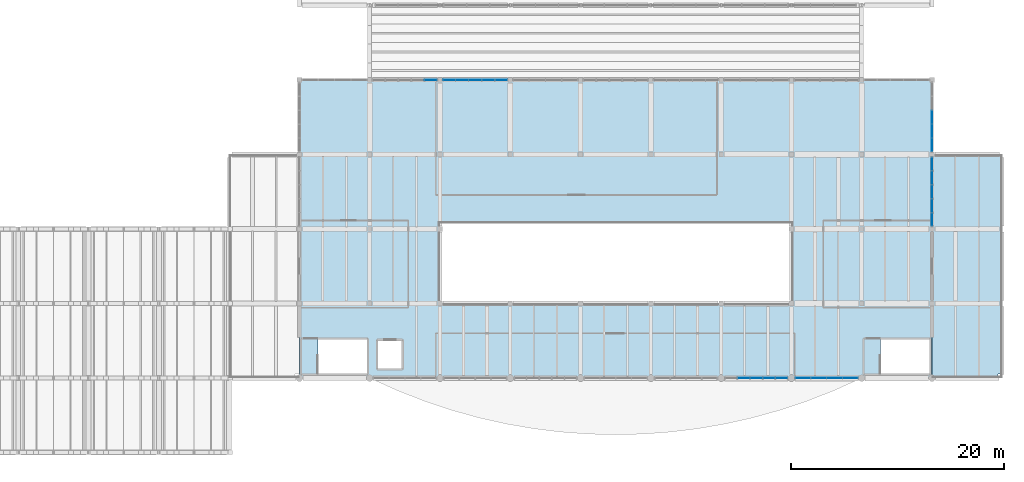
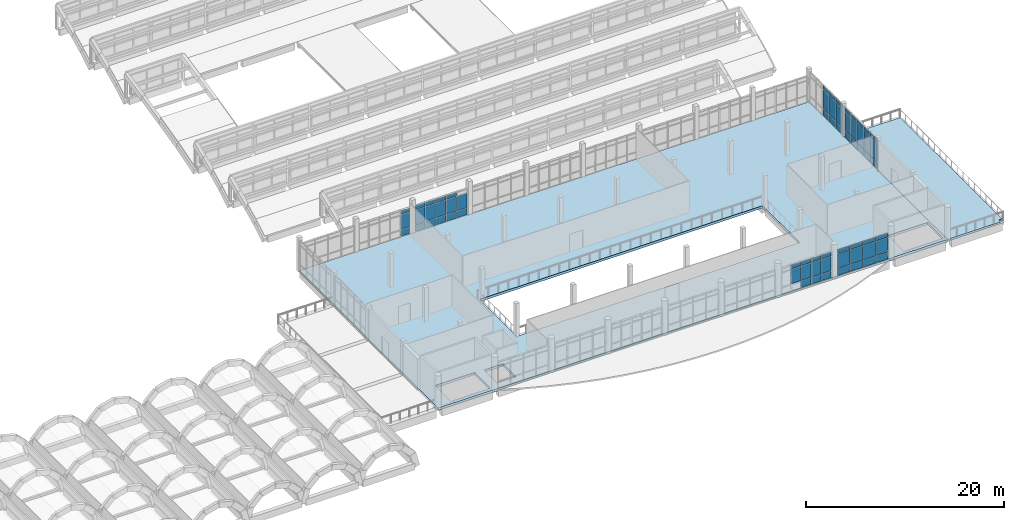
# One storey, part 67 of 92: 64 plates, 2 slabs, 6 elements without a shape of their own.
"""IFC4 building model written with IfcOpenShell, lengths in metres."""

from ifc_helpers import new_model, si_unit, direction, frame, origin, origin_2d, place, context, subcontext, project, spatial, polyline, rectangle, outline, extrude, material, layer, layer_set, type_object, element, aggregate, save


model = new_model("IFC4")

# Units and contexts
model_context = context("Model", 3, precision=1e-05, world=origin(), true_north=direction((0.0, 1.0)))
body_context = subcontext(model_context, "Body", "Model", "MODEL_VIEW")
ifc_project = project(units=[si_unit("LENGTHUNIT", "METRE"), si_unit("AREAUNIT", "SQUARE_METRE"), si_unit("VOLUMEUNIT", "CUBIC_METRE"), si_unit("PLANEANGLEUNIT", "RADIAN"), si_unit("MASSUNIT", "GRAM", prefix="KILO")], contexts=[model_context])

# Site, building, storey
site_placement = place(None, origin())
site = spatial("IfcSite", under=ifc_project, at=site_placement, CompositionType="ELEMENT")
building_placement = place(site_placement, origin())
building = spatial("IfcBuilding", under=site, at=building_placement, Name="Ciguamira Faculty of Natural Sciences", CompositionType="ELEMENT")
storey_placement = place(building_placement, frame((0.0, 0.0, 16.800048828125)))
storey = spatial("IfcBuildingStorey", under=building, at=storey_placement, Name="L04", CompositionType="ELEMENT", Elevation=16.800048828125)

# Curtain wall, plates
ifc_material_1 = material(Name="Anodized aluminium curtain wall", Category="aluminium")
curtain_wall_type_1 = type_object("IfcCurtainWallType", Name="CurtainWall_CW-03", PredefinedType="USERDEFINED", material=ifc_material_1)
curtain_wall_1_placement = place(storey_placement, origin())
curtain_wall_1 = element("IfcCurtainWall", 1, at=curtain_wall_1_placement, inside=storey, type_object=curtain_wall_type_1, Name="L04 unitised curtain wall 0111", ObjectType="UNITISED CURTAIN WALL", PredefinedType="USERDEFINED")
ifc_material_2 = material(Name="Low-E laminated solar glass", Category="glass")
ifc_layer_1 = layer(ifc_material_2, 0.028076171875, Name="Low-E laminated solar glass")
ifc_layer_set_1 = layer_set([ifc_layer_1], Name="Low-E laminated solar glass")
plate_type_1 = type_object("IfcPlateType", Name="CWPanel_CWP-01", PredefinedType="CURTAIN_PANEL", material=ifc_layer_set_1)
plate_1_placement = place(storey_placement, frame((99.010009765625, 10.0, 0.93994140625), z_axis=(0.0, 0.0, 1.0), x_axis=(1.0, 0.0, 0.0)))
plate_1 = element("IfcPlate", 2, at=plate_1_placement, type_object=plate_type_1, Name="CW-03 panel 2.2", PredefinedType="CURTAIN_PANEL", context=body_context, shape_type="SweptSolid", body=[
    extrude(rectangle(XDim=1.110107421875, YDim=0.028076171875, at=origin_2d()), origin(), (0.0, 0.0, 1.0), 1.7548828125),
])
plate_2_placement = place(storey_placement, frame((99.010009765625, 10.0, 2.77490234375), z_axis=(0.0, 0.0, 1.0), x_axis=(1.0, 0.0, 0.0)))
plate_2 = element("IfcPlate", 3, at=plate_2_placement, type_object=plate_type_1, Name="CW-03 panel 2.3", PredefinedType="CURTAIN_PANEL", context=body_context, shape_type="SweptSolid", body=[
    extrude(rectangle(XDim=1.110107421875, YDim=0.028076171875, at=origin_2d()), origin(), (0.0, 0.0, 1.0), 0.429931640625),
])
plate_3_placement = place(storey_placement, frame((100.199951171875, 10.0, 0.080078125), z_axis=(0.0, 0.0, 1.0), x_axis=(1.0, 0.0, 0.0)))
plate_3 = element("IfcPlate", 4, at=plate_3_placement, type_object=plate_type_1, Name="CW-03 panel 3.1", PredefinedType="CURTAIN_PANEL", context=body_context, shape_type="SweptSolid", body=[
    extrude(rectangle(XDim=1.110107421875, YDim=0.028076171875, at=origin_2d()), origin(), (0.0, 0.0, 1.0), 0.780029296875),
])
plate_4_placement = place(storey_placement, frame((100.199951171875, 10.0, 0.93994140625), z_axis=(0.0, 0.0, 1.0), x_axis=(1.0, 0.0, 0.0)))
plate_4 = element("IfcPlate", 5, at=plate_4_placement, type_object=plate_type_1, Name="CW-03 panel 3.2", PredefinedType="CURTAIN_PANEL", context=body_context, shape_type="SweptSolid", body=[
    extrude(rectangle(XDim=1.110107421875, YDim=0.028076171875, at=origin_2d()), origin(), (0.0, 0.0, 1.0), 1.7548828125),
])
plate_5_placement = place(storey_placement, frame((100.199951171875, 10.0, 2.77490234375), z_axis=(0.0, 0.0, 1.0), x_axis=(1.0, 0.0, 0.0)))
plate_5 = element("IfcPlate", 6, at=plate_5_placement, type_object=plate_type_1, Name="CW-03 panel 3.3", PredefinedType="CURTAIN_PANEL", context=body_context, shape_type="SweptSolid", body=[
    extrude(rectangle(XDim=1.110107421875, YDim=0.028076171875, at=origin_2d()), origin(), (0.0, 0.0, 1.0), 0.429931640625),
])
plate_6_placement = place(storey_placement, frame((101.389892578125, 10.0, 0.080078125), z_axis=(0.0, 0.0, 1.0), x_axis=(1.0, 0.0, 0.0)))
plate_6 = element("IfcPlate", 7, at=plate_6_placement, type_object=plate_type_1, Name="CW-03 panel 4.1", PredefinedType="CURTAIN_PANEL", context=body_context, shape_type="SweptSolid", body=[
    extrude(rectangle(XDim=1.110107421875, YDim=0.028076171875, at=origin_2d()), origin(), (0.0, 0.0, 1.0), 0.780029296875),
])
plate_7_placement = place(storey_placement, frame((101.389892578125, 10.0, 0.93994140625), z_axis=(0.0, 0.0, 1.0), x_axis=(1.0, 0.0, 0.0)))
plate_7 = element("IfcPlate", 8, at=plate_7_placement, type_object=plate_type_1, Name="CW-03 panel 4.2", PredefinedType="CURTAIN_PANEL", context=body_context, shape_type="SweptSolid", body=[
    extrude(rectangle(XDim=1.110107421875, YDim=0.028076171875, at=origin_2d()), origin(), (0.0, 0.0, 1.0), 1.7548828125),
])
plate_8_placement = place(storey_placement, frame((101.389892578125, 10.0, 2.77490234375), z_axis=(0.0, 0.0, 1.0), x_axis=(1.0, 0.0, 0.0)))
plate_8 = element("IfcPlate", 9, at=plate_8_placement, type_object=plate_type_1, Name="CW-03 panel 4.3", PredefinedType="CURTAIN_PANEL", context=body_context, shape_type="SweptSolid", body=[
    extrude(rectangle(XDim=1.110107421875, YDim=0.028076171875, at=origin_2d()), origin(), (0.0, 0.0, 1.0), 0.429931640625),
])
plate_9_placement = place(storey_placement, frame((102.56005859375, 10.0, 0.080078125), z_axis=(0.0, 0.0, 1.0), x_axis=(1.0, 0.0, 0.0)))
plate_9 = element("IfcPlate", 10, at=plate_9_placement, type_object=plate_type_1, Name="CW-03 panel 5.1", PredefinedType="CURTAIN_PANEL", context=body_context, shape_type="SweptSolid", body=[
    extrude(rectangle(XDim=1.070068359375, YDim=0.028076171875, at=origin_2d()), origin(), (0.0, 0.0, 1.0), 0.780029296875),
])
plate_10_placement = place(storey_placement, frame((102.56005859375, 10.0, 0.93994140625), z_axis=(0.0, 0.0, 1.0), x_axis=(1.0, 0.0, 0.0)))
plate_10 = element("IfcPlate", 11, at=plate_10_placement, type_object=plate_type_1, Name="CW-03 panel 5.2", PredefinedType="CURTAIN_PANEL", context=body_context, shape_type="SweptSolid", body=[
    extrude(rectangle(XDim=1.070068359375, YDim=0.028076171875, at=origin_2d()), origin(), (0.0, 0.0, 1.0), 1.7548828125),
])
plate_11_placement = place(storey_placement, frame((102.56005859375, 10.0, 2.77490234375), z_axis=(0.0, 0.0, 1.0), x_axis=(1.0, 0.0, 0.0)))
plate_11 = element("IfcPlate", 12, at=plate_11_placement, type_object=plate_type_1, Name="CW-03 panel 5.3", PredefinedType="CURTAIN_PANEL", context=body_context, shape_type="SweptSolid", body=[
    extrude(rectangle(XDim=1.070068359375, YDim=0.028076171875, at=origin_2d()), origin(), (0.0, 0.0, 1.0), 0.429931640625),
])
aggregate(curtain_wall_1, [plate_1, plate_2, plate_3, plate_4, plate_5, plate_6, plate_7, plate_8, plate_9, plate_10, plate_11])

curtain_wall_type_2 = type_object("IfcCurtainWallType", Name="CurtainWall_CW-07", PredefinedType="USERDEFINED", material=ifc_material_1)
curtain_wall_2_placement = place(storey_placement, origin())
curtain_wall_2 = element("IfcCurtainWall", 13, at=curtain_wall_2_placement, inside=storey, type_object=curtain_wall_type_2, Name="L04 unitised curtain wall 0115", ObjectType="UNITISED CURTAIN WALL", PredefinedType="USERDEFINED")
plate_12_placement = place(storey_placement, frame((71.35498046875, 38.0, 0.059814453125), z_axis=(0.0, 0.0, 1.0), x_axis=(1.0, 0.0, 0.0)))
plate_12 = element("IfcPlate", 14, at=plate_12_placement, type_object=plate_type_1, Name="CW-07 panel 1.1", PredefinedType="CURTAIN_PANEL", context=body_context, shape_type="SweptSolid", body=[
    extrude(rectangle(XDim=1.139892578125, YDim=0.028076171875, at=origin_2d()), origin(), (0.0, 0.0, 1.0), 0.81005859375),
])
plate_13_placement = place(storey_placement, frame((71.35498046875, 38.0, 0.929931640625), z_axis=(0.0, 0.0, 1.0), x_axis=(1.0, 0.0, 0.0)))
plate_13 = element("IfcPlate", 15, at=plate_13_placement, type_object=plate_type_1, Name="CW-07 panel 1.2", PredefinedType="CURTAIN_PANEL", context=body_context, shape_type="SweptSolid", body=[
    extrude(rectangle(XDim=1.139892578125, YDim=0.028076171875, at=origin_2d()), origin(), (0.0, 0.0, 1.0), 1.77490234375),
])
plate_14_placement = place(storey_placement, frame((71.35498046875, 38.0, 2.764892578125), z_axis=(0.0, 0.0, 1.0), x_axis=(1.0, 0.0, 0.0)))
plate_14 = element("IfcPlate", 16, at=plate_14_placement, type_object=plate_type_1, Name="CW-07 panel 1.3", PredefinedType="CURTAIN_PANEL", context=body_context, shape_type="SweptSolid", body=[
    extrude(rectangle(XDim=1.139892578125, YDim=0.028076171875, at=origin_2d()), origin(), (0.0, 0.0, 1.0), 0.4599609375),
])
plate_15_placement = place(storey_placement, frame((72.570068359375, 38.0, 0.059814453125), z_axis=(0.0, 0.0, 1.0), x_axis=(1.0, 0.0, 0.0)))
plate_15 = element("IfcPlate", 17, at=plate_15_placement, type_object=plate_type_1, Name="CW-07 panel 2.1", PredefinedType="CURTAIN_PANEL", context=body_context, shape_type="SweptSolid", body=[
    extrude(rectangle(XDim=1.169921875, YDim=0.028076171875, at=origin_2d()), origin(), (0.0, 0.0, 1.0), 0.81005859375),
])
plate_16_placement = place(storey_placement, frame((72.570068359375, 38.0, 0.929931640625), z_axis=(0.0, 0.0, 1.0), x_axis=(1.0, 0.0, 0.0)))
plate_16 = element("IfcPlate", 18, at=plate_16_placement, type_object=plate_type_1, Name="CW-07 panel 2.2", PredefinedType="CURTAIN_PANEL", context=body_context, shape_type="SweptSolid", body=[
    extrude(rectangle(XDim=1.169921875, YDim=0.028076171875, at=origin_2d()), origin(), (0.0, 0.0, 1.0), 1.77490234375),
])
plate_17_placement = place(storey_placement, frame((72.570068359375, 38.0, 2.764892578125), z_axis=(0.0, 0.0, 1.0), x_axis=(1.0, 0.0, 0.0)))
plate_17 = element("IfcPlate", 19, at=plate_17_placement, type_object=plate_type_1, Name="CW-07 panel 2.3", PredefinedType="CURTAIN_PANEL", context=body_context, shape_type="SweptSolid", body=[
    extrude(rectangle(XDim=1.169921875, YDim=0.028076171875, at=origin_2d()), origin(), (0.0, 0.0, 1.0), 0.4599609375),
])
plate_18_placement = place(storey_placement, frame((73.800048828125, 38.0, 0.059814453125), z_axis=(0.0, 0.0, 1.0), x_axis=(1.0, 0.0, 0.0)))
plate_18 = element("IfcPlate", 20, at=plate_18_placement, type_object=plate_type_1, Name="CW-07 panel 3.1", PredefinedType="CURTAIN_PANEL", context=body_context, shape_type="SweptSolid", body=[
    extrude(rectangle(XDim=1.169921875, YDim=0.028076171875, at=origin_2d()), origin(), (0.0, 0.0, 1.0), 0.81005859375),
])
plate_19_placement = place(storey_placement, frame((73.800048828125, 38.0, 0.929931640625), z_axis=(0.0, 0.0, 1.0), x_axis=(1.0, 0.0, 0.0)))
plate_19 = element("IfcPlate", 21, at=plate_19_placement, type_object=plate_type_1, Name="CW-07 panel 3.2", PredefinedType="CURTAIN_PANEL", context=body_context, shape_type="SweptSolid", body=[
    extrude(rectangle(XDim=1.169921875, YDim=0.028076171875, at=origin_2d()), origin(), (0.0, 0.0, 1.0), 1.77490234375),
])
plate_20_placement = place(storey_placement, frame((73.800048828125, 38.0, 2.764892578125), z_axis=(0.0, 0.0, 1.0), x_axis=(1.0, 0.0, 0.0)))
plate_20 = element("IfcPlate", 22, at=plate_20_placement, type_object=plate_type_1, Name="CW-07 panel 3.3", PredefinedType="CURTAIN_PANEL", context=body_context, shape_type="SweptSolid", body=[
    extrude(rectangle(XDim=1.169921875, YDim=0.028076171875, at=origin_2d()), origin(), (0.0, 0.0, 1.0), 0.4599609375),
])
plate_21_placement = place(storey_placement, frame((75.030029296875, 38.0, 0.059814453125), z_axis=(0.0, 0.0, 1.0), x_axis=(1.0, 0.0, 0.0)))
plate_21 = element("IfcPlate", 23, at=plate_21_placement, type_object=plate_type_1, Name="CW-07 panel 4.1", PredefinedType="CURTAIN_PANEL", context=body_context, shape_type="SweptSolid", body=[
    extrude(rectangle(XDim=1.169921875, YDim=0.028076171875, at=origin_2d()), origin(), (0.0, 0.0, 1.0), 0.81005859375),
])
plate_22_placement = place(storey_placement, frame((75.030029296875, 38.0, 0.929931640625), z_axis=(0.0, 0.0, 1.0), x_axis=(1.0, 0.0, 0.0)))
plate_22 = element("IfcPlate", 24, at=plate_22_placement, type_object=plate_type_1, Name="CW-07 panel 4.2", PredefinedType="CURTAIN_PANEL", context=body_context, shape_type="SweptSolid", body=[
    extrude(rectangle(XDim=1.169921875, YDim=0.028076171875, at=origin_2d()), origin(), (0.0, 0.0, 1.0), 1.77490234375),
])
plate_23_placement = place(storey_placement, frame((75.030029296875, 38.0, 2.764892578125), z_axis=(0.0, 0.0, 1.0), x_axis=(1.0, 0.0, 0.0)))
plate_23 = element("IfcPlate", 25, at=plate_23_placement, type_object=plate_type_1, Name="CW-07 panel 4.3", PredefinedType="CURTAIN_PANEL", context=body_context, shape_type="SweptSolid", body=[
    extrude(rectangle(XDim=1.169921875, YDim=0.028076171875, at=origin_2d()), origin(), (0.0, 0.0, 1.0), 0.4599609375),
])
plate_24_placement = place(storey_placement, frame((76.2451171875, 38.0, 0.059814453125), z_axis=(0.0, 0.0, 1.0), x_axis=(1.0, 0.0, 0.0)))
plate_24 = element("IfcPlate", 26, at=plate_24_placement, type_object=plate_type_1, Name="CW-07 panel 5.1", PredefinedType="CURTAIN_PANEL", context=body_context, shape_type="SweptSolid", body=[
    extrude(rectangle(XDim=1.139892578125, YDim=0.028076171875, at=origin_2d()), origin(), (0.0, 0.0, 1.0), 0.81005859375),
])
plate_25_placement = place(storey_placement, frame((76.2451171875, 38.0, 0.929931640625), z_axis=(0.0, 0.0, 1.0), x_axis=(1.0, 0.0, 0.0)))
plate_25 = element("IfcPlate", 27, at=plate_25_placement, type_object=plate_type_1, Name="CW-07 panel 5.2", PredefinedType="CURTAIN_PANEL", context=body_context, shape_type="SweptSolid", body=[
    extrude(rectangle(XDim=1.139892578125, YDim=0.028076171875, at=origin_2d()), origin(), (0.0, 0.0, 1.0), 1.77490234375),
])
aggregate(curtain_wall_2, [plate_12, plate_13, plate_14, plate_15, plate_16, plate_17, plate_18, plate_19, plate_20, plate_21, plate_22, plate_23, plate_24, plate_25])

curtain_wall_type_3 = type_object("IfcCurtainWallType", Name="CurtainWall_CW-01", PredefinedType="USERDEFINED", material=ifc_material_1)
curtain_wall_3_placement = place(storey_placement, origin())
curtain_wall_3 = element("IfcCurtainWall", 28, at=curtain_wall_3_placement, inside=storey, type_object=curtain_wall_type_3, Name="L04 unitised curtain wall 0133", ObjectType="UNITISED CURTAIN WALL", PredefinedType="USERDEFINED")
plate_26_placement = place(storey_placement, frame((116.699951171875, 31.89501953125, 0.059814453125), z_axis=(0.0, 0.0, 1.0), x_axis=(0.0, 1.0, 0.0)))
plate_26 = element("IfcPlate", 29, at=plate_26_placement, type_object=plate_type_1, Name="CW-01 panel 1.1", PredefinedType="CURTAIN_PANEL", context=body_context, shape_type="SweptSolid", body=[
    extrude(rectangle(XDim=1.219970703125, YDim=0.028076171875, at=origin_2d()), origin(), (0.0, 0.0, 1.0), 0.81005859375),
])
plate_27_placement = place(storey_placement, frame((116.699951171875, 31.89501953125, 0.9296875), z_axis=(0.0, 0.0, 1.0), x_axis=(0.0, 1.0, 0.0)))
plate_27 = element("IfcPlate", 30, at=plate_27_placement, type_object=plate_type_1, Name="CW-01 panel 1.2", PredefinedType="CURTAIN_PANEL", context=body_context, shape_type="SweptSolid", body=[
    extrude(rectangle(XDim=1.219970703125, YDim=0.028076171875, at=origin_2d()), origin(), (0.0, 0.0, 1.0), 2.340087890625),
])
plate_28_placement = place(storey_placement, frame((116.699951171875, 31.89501953125, 3.330078125), z_axis=(0.0, 0.0, 1.0), x_axis=(0.0, 1.0, 0.0)))
plate_28 = element("IfcPlate", 31, at=plate_28_placement, type_object=plate_type_1, Name="CW-01 panel 1.3", PredefinedType="CURTAIN_PANEL", context=body_context, shape_type="SweptSolid", body=[
    extrude(rectangle(XDim=1.219970703125, YDim=0.028076171875, at=origin_2d()), origin(), (0.0, 0.0, 1.0), 0.4599609375),
])
plate_29_placement = place(storey_placement, frame((116.699951171875, 33.18994140625, 0.059814453125), z_axis=(0.0, 0.0, 1.0), x_axis=(0.0, 1.0, 0.0)))
plate_29 = element("IfcPlate", 32, at=plate_29_placement, type_object=plate_type_1, Name="CW-01 panel 2.1", PredefinedType="CURTAIN_PANEL", context=body_context, shape_type="SweptSolid", body=[
    extrude(rectangle(XDim=1.25, YDim=0.028076171875, at=origin_2d()), origin(), (0.0, 0.0, 1.0), 0.81005859375),
])
plate_30_placement = place(storey_placement, frame((116.699951171875, 33.18994140625, 0.9296875), z_axis=(0.0, 0.0, 1.0), x_axis=(0.0, 1.0, 0.0)))
plate_30 = element("IfcPlate", 33, at=plate_30_placement, type_object=plate_type_1, Name="CW-01 panel 2.2", PredefinedType="CURTAIN_PANEL", context=body_context, shape_type="SweptSolid", body=[
    extrude(rectangle(XDim=1.25, YDim=0.028076171875, at=origin_2d()), origin(), (0.0, 0.0, 1.0), 2.340087890625),
])
plate_31_placement = place(storey_placement, frame((116.699951171875, 33.18994140625, 3.330078125), z_axis=(0.0, 0.0, 1.0), x_axis=(0.0, 1.0, 0.0)))
plate_31 = element("IfcPlate", 34, at=plate_31_placement, type_object=plate_type_1, Name="CW-01 panel 2.3", PredefinedType="CURTAIN_PANEL", context=body_context, shape_type="SweptSolid", body=[
    extrude(rectangle(XDim=1.25, YDim=0.028076171875, at=origin_2d()), origin(), (0.0, 0.0, 1.0), 0.4599609375),
])
plate_32_placement = place(storey_placement, frame((116.699951171875, 34.5, 0.059814453125), z_axis=(0.0, 0.0, 1.0), x_axis=(0.0, 1.0, 0.0)))
plate_32 = element("IfcPlate", 35, at=plate_32_placement, type_object=plate_type_1, Name="CW-01 panel 3.1", PredefinedType="CURTAIN_PANEL", context=body_context, shape_type="SweptSolid", body=[
    extrude(rectangle(XDim=1.25, YDim=0.028076171875, at=origin_2d()), origin(), (0.0, 0.0, 1.0), 0.81005859375),
])
plate_33_placement = place(storey_placement, frame((116.699951171875, 34.5, 0.9296875), z_axis=(0.0, 0.0, 1.0), x_axis=(0.0, 1.0, 0.0)))
plate_33 = element("IfcPlate", 36, at=plate_33_placement, type_object=plate_type_1, Name="CW-01 panel 3.2", PredefinedType="CURTAIN_PANEL", context=body_context, shape_type="SweptSolid", body=[
    extrude(rectangle(XDim=1.25, YDim=0.028076171875, at=origin_2d()), origin(), (0.0, 0.0, 1.0), 2.340087890625),
])
plate_34_placement = place(storey_placement, frame((116.699951171875, 34.5, 3.330078125), z_axis=(0.0, 0.0, 1.0), x_axis=(0.0, 1.0, 0.0)))
plate_34 = element("IfcPlate", 37, at=plate_34_placement, type_object=plate_type_1, Name="CW-01 panel 3.3", PredefinedType="CURTAIN_PANEL", context=body_context, shape_type="SweptSolid", body=[
    extrude(rectangle(XDim=1.25, YDim=0.028076171875, at=origin_2d()), origin(), (0.0, 0.0, 1.0), 0.4599609375),
])
aggregate(curtain_wall_3, [plate_26, plate_27, plate_28, plate_29, plate_30, plate_31, plate_32, plate_33, plate_34])

curtain_wall_type_4 = type_object("IfcCurtainWallType", Name="CurtainWall_CW-04", PredefinedType="USERDEFINED", material=ifc_material_1)
curtain_wall_4_placement = place(storey_placement, origin())
curtain_wall_4 = element("IfcCurtainWall", 38, at=curtain_wall_4_placement, inside=storey, type_object=curtain_wall_type_4, Name="L04 unitised curtain wall 0112", ObjectType="UNITISED CURTAIN WALL", PredefinedType="USERDEFINED")
ifc_layer_2 = layer(ifc_material_2, 0.035888671875, Name="Low-E laminated solar glass")
ifc_layer_set_2 = layer_set([ifc_layer_2], Name="Low-E laminated solar glass")
plate_type_2 = type_object("IfcPlateType", Name="CWPanel_CWP-02", PredefinedType="CURTAIN_PANEL", material=ifc_layer_set_2)
plate_35_placement = place(storey_placement, frame((104.583740234375, 10.0, 0.059814453125), z_axis=(0.0, 0.0, 1.0), x_axis=(1.0, 0.0, 0.0)))
plate_35 = element("IfcPlate", 39, at=plate_35_placement, type_object=plate_type_2, Name="CW-04 panel 1.1", PredefinedType="CURTAIN_PANEL", context=body_context, shape_type="SweptSolid", body=[
    extrude(rectangle(XDim=1.3974609375, YDim=0.035888671875, at=origin_2d()), origin(), (0.0, 0.0, 1.0), 0.81005859375),
])
plate_36_placement = place(storey_placement, frame((104.583740234375, 10.0, 0.929931640625), z_axis=(0.0, 0.0, 1.0), x_axis=(1.0, 0.0, 0.0)))
plate_36 = element("IfcPlate", 40, at=plate_36_placement, type_object=plate_type_2, Name="CW-04 panel 1.2", PredefinedType="CURTAIN_PANEL", context=body_context, shape_type="SweptSolid", body=[
    extrude(rectangle(XDim=1.3974609375, YDim=0.035888671875, at=origin_2d()), origin(), (0.0, 0.0, 1.0), 1.77490234375),
])
plate_37_placement = place(storey_placement, frame((104.583740234375, 10.0, 2.764892578125), z_axis=(0.0, 0.0, 1.0), x_axis=(1.0, 0.0, 0.0)))
plate_37 = element("IfcPlate", 41, at=plate_37_placement, type_object=plate_type_2, Name="CW-04 panel 1.3", PredefinedType="CURTAIN_PANEL", context=body_context, shape_type="SweptSolid", body=[
    extrude(rectangle(XDim=1.3974609375, YDim=0.035888671875, at=origin_2d()), origin(), (0.0, 0.0, 1.0), 0.4599609375),
])
plate_38_placement = place(storey_placement, frame((106.05615234375, 10.0, 0.059814453125), z_axis=(0.0, 0.0, 1.0), x_axis=(1.0, 0.0, 0.0)))
plate_38 = element("IfcPlate", 42, at=plate_38_placement, type_object=plate_type_2, Name="CW-04 panel 2.1", PredefinedType="CURTAIN_PANEL", context=body_context, shape_type="SweptSolid", body=[
    extrude(rectangle(XDim=1.427490234375, YDim=0.035888671875, at=origin_2d()), origin(), (0.0, 0.0, 1.0), 0.81005859375),
])
plate_39_placement = place(storey_placement, frame((106.05615234375, 10.0, 0.929931640625), z_axis=(0.0, 0.0, 1.0), x_axis=(1.0, 0.0, 0.0)))
plate_39 = element("IfcPlate", 43, at=plate_39_placement, type_object=plate_type_2, Name="CW-04 panel 2.2", PredefinedType="CURTAIN_PANEL", context=body_context, shape_type="SweptSolid", body=[
    extrude(rectangle(XDim=1.427490234375, YDim=0.035888671875, at=origin_2d()), origin(), (0.0, 0.0, 1.0), 1.77490234375),
])
plate_40_placement = place(storey_placement, frame((106.05615234375, 10.0, 2.764892578125), z_axis=(0.0, 0.0, 1.0), x_axis=(1.0, 0.0, 0.0)))
plate_40 = element("IfcPlate", 44, at=plate_40_placement, type_object=plate_type_2, Name="CW-04 panel 2.3", PredefinedType="CURTAIN_PANEL", context=body_context, shape_type="SweptSolid", body=[
    extrude(rectangle(XDim=1.427490234375, YDim=0.035888671875, at=origin_2d()), origin(), (0.0, 0.0, 1.0), 0.4599609375),
])
plate_41_placement = place(storey_placement, frame((107.543701171875, 10.0, 0.059814453125), z_axis=(0.0, 0.0, 1.0), x_axis=(1.0, 0.0, 0.0)))
plate_41 = element("IfcPlate", 45, at=plate_41_placement, type_object=plate_type_2, Name="CW-04 panel 3.1", PredefinedType="CURTAIN_PANEL", context=body_context, shape_type="SweptSolid", body=[
    extrude(rectangle(XDim=1.427490234375, YDim=0.035888671875, at=origin_2d()), origin(), (0.0, 0.0, 1.0), 0.81005859375),
])
plate_42_placement = place(storey_placement, frame((107.543701171875, 10.0, 0.929931640625), z_axis=(0.0, 0.0, 1.0), x_axis=(1.0, 0.0, 0.0)))
plate_42 = element("IfcPlate", 46, at=plate_42_placement, type_object=plate_type_2, Name="CW-04 panel 3.2", PredefinedType="CURTAIN_PANEL", context=body_context, shape_type="SweptSolid", body=[
    extrude(rectangle(XDim=1.427490234375, YDim=0.035888671875, at=origin_2d()), origin(), (0.0, 0.0, 1.0), 1.77490234375),
])
plate_43_placement = place(storey_placement, frame((107.543701171875, 10.0, 2.764892578125), z_axis=(0.0, 0.0, 1.0), x_axis=(1.0, 0.0, 0.0)))
plate_43 = element("IfcPlate", 47, at=plate_43_placement, type_object=plate_type_2, Name="CW-04 panel 3.3", PredefinedType="CURTAIN_PANEL", context=body_context, shape_type="SweptSolid", body=[
    extrude(rectangle(XDim=1.427490234375, YDim=0.035888671875, at=origin_2d()), origin(), (0.0, 0.0, 1.0), 0.4599609375),
])
plate_44_placement = place(storey_placement, frame((109.016357421875, 10.0, 0.059814453125), z_axis=(0.0, 0.0, 1.0), x_axis=(1.0, 0.0, 0.0)))
plate_44 = element("IfcPlate", 48, at=plate_44_placement, type_object=plate_type_2, Name="CW-04 panel 4.1", PredefinedType="CURTAIN_PANEL", context=body_context, shape_type="SweptSolid", body=[
    extrude(rectangle(XDim=1.3974609375, YDim=0.035888671875, at=origin_2d()), origin(), (0.0, 0.0, 1.0), 0.81005859375),
])
plate_45_placement = place(storey_placement, frame((109.016357421875, 10.0, 0.929931640625), z_axis=(0.0, 0.0, 1.0), x_axis=(1.0, 0.0, 0.0)))
plate_45 = element("IfcPlate", 49, at=plate_45_placement, type_object=plate_type_2, Name="CW-04 panel 4.2", PredefinedType="CURTAIN_PANEL", context=body_context, shape_type="SweptSolid", body=[
    extrude(rectangle(XDim=1.3974609375, YDim=0.035888671875, at=origin_2d()), origin(), (0.0, 0.0, 1.0), 1.77490234375),
])
plate_46_placement = place(storey_placement, frame((109.016357421875, 10.0, 2.764892578125), z_axis=(0.0, 0.0, 1.0), x_axis=(1.0, 0.0, 0.0)))
plate_46 = element("IfcPlate", 50, at=plate_46_placement, type_object=plate_type_2, Name="CW-04 panel 4.3", PredefinedType="CURTAIN_PANEL", context=body_context, shape_type="SweptSolid", body=[
    extrude(rectangle(XDim=1.3974609375, YDim=0.035888671875, at=origin_2d()), origin(), (0.0, 0.0, 1.0), 0.4599609375),
])
aggregate(curtain_wall_4, [plate_35, plate_36, plate_37, plate_38, plate_39, plate_40, plate_41, plate_42, plate_43, plate_44, plate_45, plate_46])

curtain_wall_type_5 = type_object("IfcCurtainWallType", Name="CurtainWall_CW-06", PredefinedType="USERDEFINED", material=ifc_material_1)
curtain_wall_5_placement = place(storey_placement, origin())
curtain_wall_5 = element("IfcCurtainWall", 51, at=curtain_wall_5_placement, inside=storey, type_object=curtain_wall_type_5, Name="L04 unitised curtain wall 0114", ObjectType="UNITISED CURTAIN WALL", PredefinedType="USERDEFINED")
plate_47_placement = place(storey_placement, frame((69.639892578125, 38.0, 0.080078125), z_axis=(0.0, 0.0, 1.0), x_axis=(1.0, 0.0, 0.0)))
plate_47 = element("IfcPlate", 52, at=plate_47_placement, type_object=plate_type_2, Name="CW-06 panel 5.1", PredefinedType="CURTAIN_PANEL", context=body_context, shape_type="SweptSolid", body=[
    extrude(rectangle(XDim=1.110107421875, YDim=0.035888671875, at=origin_2d()), origin(), (0.0, 0.0, 1.0), 0.780029296875),
])
plate_48_placement = place(storey_placement, frame((69.639892578125, 38.0, 0.93994140625), z_axis=(0.0, 0.0, 1.0), x_axis=(1.0, 0.0, 0.0)))
plate_48 = element("IfcPlate", 53, at=plate_48_placement, type_object=plate_type_2, Name="CW-06 panel 5.2", PredefinedType="CURTAIN_PANEL", context=body_context, shape_type="SweptSolid", body=[
    extrude(rectangle(XDim=1.110107421875, YDim=0.035888671875, at=origin_2d()), origin(), (0.0, 0.0, 1.0), 1.7548828125),
])
plate_49_placement = place(storey_placement, frame((69.639892578125, 38.0, 2.77490234375), z_axis=(0.0, 0.0, 1.0), x_axis=(1.0, 0.0, 0.0)))
plate_49 = element("IfcPlate", 54, at=plate_49_placement, type_object=plate_type_2, Name="CW-06 panel 5.3", PredefinedType="CURTAIN_PANEL", context=body_context, shape_type="SweptSolid", body=[
    extrude(rectangle(XDim=1.110107421875, YDim=0.035888671875, at=origin_2d()), origin(), (0.0, 0.0, 1.0), 0.429931640625),
])
aggregate(curtain_wall_5, [plate_47, plate_48, plate_49])

curtain_wall_type_6 = type_object("IfcCurtainWallType", Name="CurtainWall_CW-12", PredefinedType="USERDEFINED", material=ifc_material_1)
curtain_wall_6_placement = place(storey_placement, origin())
curtain_wall_6 = element("IfcCurtainWall", 55, at=curtain_wall_6_placement, inside=storey, type_object=curtain_wall_type_6, Name="L04 unitised curtain wall 0132", ObjectType="UNITISED CURTAIN WALL", PredefinedType="USERDEFINED")
plate_50_placement = place(storey_placement, frame((116.699951171875, 24.89990234375, 0.080078125), z_axis=(0.0, 0.0, 1.0), x_axis=(0.0, 1.0, 0.0)))
plate_50 = element("IfcPlate", 56, at=plate_50_placement, type_object=plate_type_2, Name="CW-12 panel 1.1", PredefinedType="CURTAIN_PANEL", context=body_context, shape_type="SweptSolid", body=[
    extrude(rectangle(XDim=1.18994140625, YDim=0.035888671875, at=origin_2d()), origin(), (0.0, 0.0, 1.0), 0.780029296875),
])
plate_51_placement = place(storey_placement, frame((116.699951171875, 24.89990234375, 0.93994140625), z_axis=(0.0, 0.0, 1.0), x_axis=(0.0, 1.0, 0.0)))
plate_51 = element("IfcPlate", 57, at=plate_51_placement, type_object=plate_type_2, Name="CW-12 panel 1.2", PredefinedType="CURTAIN_PANEL", context=body_context, shape_type="SweptSolid", body=[
    extrude(rectangle(XDim=1.18994140625, YDim=0.035888671875, at=origin_2d()), origin(), (0.0, 0.0, 1.0), 2.320068359375),
])
plate_52_placement = place(storey_placement, frame((116.699951171875, 24.89990234375, 3.33984375), z_axis=(0.0, 0.0, 1.0), x_axis=(0.0, 1.0, 0.0)))
plate_52 = element("IfcPlate", 58, at=plate_52_placement, type_object=plate_type_2, Name="CW-12 panel 1.3", PredefinedType="CURTAIN_PANEL", context=body_context, shape_type="SweptSolid", body=[
    extrude(rectangle(XDim=1.18994140625, YDim=0.035888671875, at=origin_2d()), origin(), (0.0, 0.0, 1.0), 0.429931640625),
])
plate_53_placement = place(storey_placement, frame((116.699951171875, 26.18994140625, 0.080078125), z_axis=(0.0, 0.0, 1.0), x_axis=(0.0, 1.0, 0.0)))
plate_53 = element("IfcPlate", 59, at=plate_53_placement, type_object=plate_type_2, Name="CW-12 panel 2.1", PredefinedType="CURTAIN_PANEL", context=body_context, shape_type="SweptSolid", body=[
    extrude(rectangle(XDim=1.22998046875, YDim=0.035888671875, at=origin_2d()), origin(), (0.0, 0.0, 1.0), 0.780029296875),
])
plate_54_placement = place(storey_placement, frame((116.699951171875, 26.18994140625, 0.93994140625), z_axis=(0.0, 0.0, 1.0), x_axis=(0.0, 1.0, 0.0)))
plate_54 = element("IfcPlate", 60, at=plate_54_placement, type_object=plate_type_2, Name="CW-12 panel 2.2", PredefinedType="CURTAIN_PANEL", context=body_context, shape_type="SweptSolid", body=[
    extrude(rectangle(XDim=1.22998046875, YDim=0.035888671875, at=origin_2d()), origin(), (0.0, 0.0, 1.0), 2.320068359375),
])
plate_55_placement = place(storey_placement, frame((116.699951171875, 26.18994140625, 3.33984375), z_axis=(0.0, 0.0, 1.0), x_axis=(0.0, 1.0, 0.0)))
plate_55 = element("IfcPlate", 61, at=plate_55_placement, type_object=plate_type_2, Name="CW-12 panel 2.3", PredefinedType="CURTAIN_PANEL", context=body_context, shape_type="SweptSolid", body=[
    extrude(rectangle(XDim=1.22998046875, YDim=0.035888671875, at=origin_2d()), origin(), (0.0, 0.0, 1.0), 0.429931640625),
])
plate_56_placement = place(storey_placement, frame((116.699951171875, 27.5, 0.080078125), z_axis=(0.0, 0.0, 1.0), x_axis=(0.0, 1.0, 0.0)))
plate_56 = element("IfcPlate", 62, at=plate_56_placement, type_object=plate_type_2, Name="CW-12 panel 3.1", PredefinedType="CURTAIN_PANEL", context=body_context, shape_type="SweptSolid", body=[
    extrude(rectangle(XDim=1.22998046875, YDim=0.035888671875, at=origin_2d()), origin(), (0.0, 0.0, 1.0), 0.780029296875),
])
plate_57_placement = place(storey_placement, frame((116.699951171875, 27.5, 0.93994140625), z_axis=(0.0, 0.0, 1.0), x_axis=(0.0, 1.0, 0.0)))
plate_57 = element("IfcPlate", 63, at=plate_57_placement, type_object=plate_type_2, Name="CW-12 panel 3.2", PredefinedType="CURTAIN_PANEL", context=body_context, shape_type="SweptSolid", body=[
    extrude(rectangle(XDim=1.22998046875, YDim=0.035888671875, at=origin_2d()), origin(), (0.0, 0.0, 1.0), 2.320068359375),
])
plate_58_placement = place(storey_placement, frame((116.699951171875, 27.5, 3.33984375), z_axis=(0.0, 0.0, 1.0), x_axis=(0.0, 1.0, 0.0)))
plate_58 = element("IfcPlate", 64, at=plate_58_placement, type_object=plate_type_2, Name="CW-12 panel 3.3", PredefinedType="CURTAIN_PANEL", context=body_context, shape_type="SweptSolid", body=[
    extrude(rectangle(XDim=1.22998046875, YDim=0.035888671875, at=origin_2d()), origin(), (0.0, 0.0, 1.0), 0.429931640625),
])
plate_59_placement = place(storey_placement, frame((116.699951171875, 28.81005859375, 0.080078125), z_axis=(0.0, 0.0, 1.0), x_axis=(0.0, 1.0, 0.0)))
plate_59 = element("IfcPlate", 65, at=plate_59_placement, type_object=plate_type_2, Name="CW-12 panel 4.1", PredefinedType="CURTAIN_PANEL", context=body_context, shape_type="SweptSolid", body=[
    extrude(rectangle(XDim=1.22998046875, YDim=0.035888671875, at=origin_2d()), origin(), (0.0, 0.0, 1.0), 0.780029296875),
])
plate_60_placement = place(storey_placement, frame((116.699951171875, 28.81005859375, 0.93994140625), z_axis=(0.0, 0.0, 1.0), x_axis=(0.0, 1.0, 0.0)))
plate_60 = element("IfcPlate", 66, at=plate_60_placement, type_object=plate_type_2, Name="CW-12 panel 4.2", PredefinedType="CURTAIN_PANEL", context=body_context, shape_type="SweptSolid", body=[
    extrude(rectangle(XDim=1.22998046875, YDim=0.035888671875, at=origin_2d()), origin(), (0.0, 0.0, 1.0), 2.320068359375),
])
plate_61_placement = place(storey_placement, frame((116.699951171875, 28.81005859375, 3.33984375), z_axis=(0.0, 0.0, 1.0), x_axis=(0.0, 1.0, 0.0)))
plate_61 = element("IfcPlate", 67, at=plate_61_placement, type_object=plate_type_2, Name="CW-12 panel 4.3", PredefinedType="CURTAIN_PANEL", context=body_context, shape_type="SweptSolid", body=[
    extrude(rectangle(XDim=1.22998046875, YDim=0.035888671875, at=origin_2d()), origin(), (0.0, 0.0, 1.0), 0.429931640625),
])
plate_62_placement = place(storey_placement, frame((116.699951171875, 30.10009765625, 0.080078125), z_axis=(0.0, 0.0, 1.0), x_axis=(0.0, 1.0, 0.0)))
plate_62 = element("IfcPlate", 68, at=plate_62_placement, type_object=plate_type_2, Name="CW-12 panel 5.1", PredefinedType="CURTAIN_PANEL", context=body_context, shape_type="SweptSolid", body=[
    extrude(rectangle(XDim=1.18994140625, YDim=0.035888671875, at=origin_2d()), origin(), (0.0, 0.0, 1.0), 0.780029296875),
])
plate_63_placement = place(storey_placement, frame((116.699951171875, 30.10009765625, 0.93994140625), z_axis=(0.0, 0.0, 1.0), x_axis=(0.0, 1.0, 0.0)))
plate_63 = element("IfcPlate", 69, at=plate_63_placement, type_object=plate_type_2, Name="CW-12 panel 5.2", PredefinedType="CURTAIN_PANEL", context=body_context, shape_type="SweptSolid", body=[
    extrude(rectangle(XDim=1.18994140625, YDim=0.035888671875, at=origin_2d()), origin(), (0.0, 0.0, 1.0), 2.320068359375),
])
plate_64_placement = place(storey_placement, frame((116.699951171875, 30.10009765625, 3.33984375), z_axis=(0.0, 0.0, 1.0), x_axis=(0.0, 1.0, 0.0)))
plate_64 = element("IfcPlate", 70, at=plate_64_placement, type_object=plate_type_2, Name="CW-12 panel 5.3", PredefinedType="CURTAIN_PANEL", context=body_context, shape_type="SweptSolid", body=[
    extrude(rectangle(XDim=1.18994140625, YDim=0.035888671875, at=origin_2d()), origin(), (0.0, 0.0, 1.0), 0.429931640625),
])
aggregate(curtain_wall_6, [plate_50, plate_51, plate_52, plate_53, plate_54, plate_55, plate_56, plate_57, plate_58, plate_59, plate_60, plate_61, plate_62, plate_63, plate_64])

# Slabs
ifc_material_3 = material(Name="Concrete C40/50", Category="concrete")
ifc_layer_3 = layer(ifc_material_3, 0.300048828125, Name="Concrete C40/50")
ifc_layer_set_3 = layer_set([ifc_layer_3], Name="Concrete C40/50")
slab_type_1 = type_object("IfcSlabType", Name="Slab_SF-02_300", PredefinedType="FLOOR", material=ifc_layer_set_3)
slab_1_placement = place(storey_placement, frame((0.0, 0.0, -0.300048828125)))
element("IfcSlab", 71, at=slab_1_placement, inside=storey, type_object=slab_type_1, Name="L04 V3 structural slab", PredefinedType="FLOOR", context=body_context, shape_type="SweptSolid", body=[
    extrude(outline(polyline([(57.300048828125, 10.0), (116.699951171875, 10.0), (116.699951171875, 38.0), (57.300048828125, 38.0), (57.300048828125, 10.0)]), holes=[polyline([(59.06005859375, 10.449951171875), (63.64990234375, 10.449951171875), (63.64990234375, 13.610107421875), (59.06005859375, 13.610107421875), (59.06005859375, 10.449951171875)]), polyline([(111.860107421875, 10.449951171875), (116.449951171875, 10.449951171875), (116.449951171875, 13.610107421875), (111.860107421875, 13.610107421875), (111.860107421875, 10.449951171875)]), polyline([(64.699951171875, 10.89990234375), (66.89990234375, 10.89990234375), (66.89990234375, 13.5), (64.699951171875, 13.5), (64.699951171875, 10.89990234375)]), polyline([(70.5, 17.0), (103.5, 17.0), (103.5, 24.5), (70.5, 24.5), (70.5, 17.0)])]), origin(), (0.0, 0.0, 1.0), 0.300048828125),
])
ifc_layer_4 = layer(ifc_material_3, 0.199951171875, Name="Concrete C40/50")
ifc_layer_set_4 = layer_set([ifc_layer_4], Name="Concrete C40/50")
slab_type_2 = type_object("IfcSlabType", Name="Slab_ST-01_200", PredefinedType="FLOOR", material=ifc_layer_set_4)
slab_2_placement = place(storey_placement, frame((0.0, 0.0, -0.199951171875)))
element("IfcSlab", 72, at=slab_2_placement, inside=storey, type_object=slab_type_2, Name="L04 Atrium East Botanical Roof Terrace", PredefinedType="FLOOR", context=body_context, shape_type="SweptSolid", body=[
    extrude(outline(polyline([(116.699951171875, 10.0), (122.89990234375, 10.0), (122.89990234375, 10.39990234375), (123.300048828125, 10.39990234375), (123.300048828125, 31.0), (116.699951171875, 31.0), (116.699951171875, 10.0)])), origin(), (0.0, 0.0, 1.0), 0.199951171875),
])

save(model, "model.ifc")
